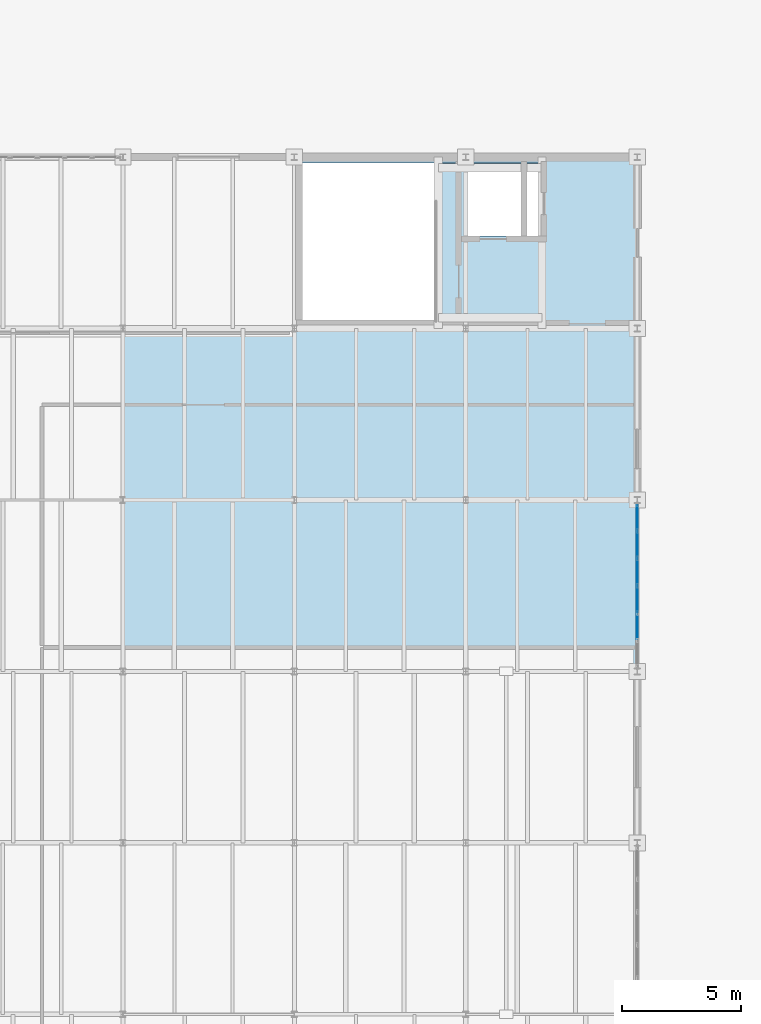
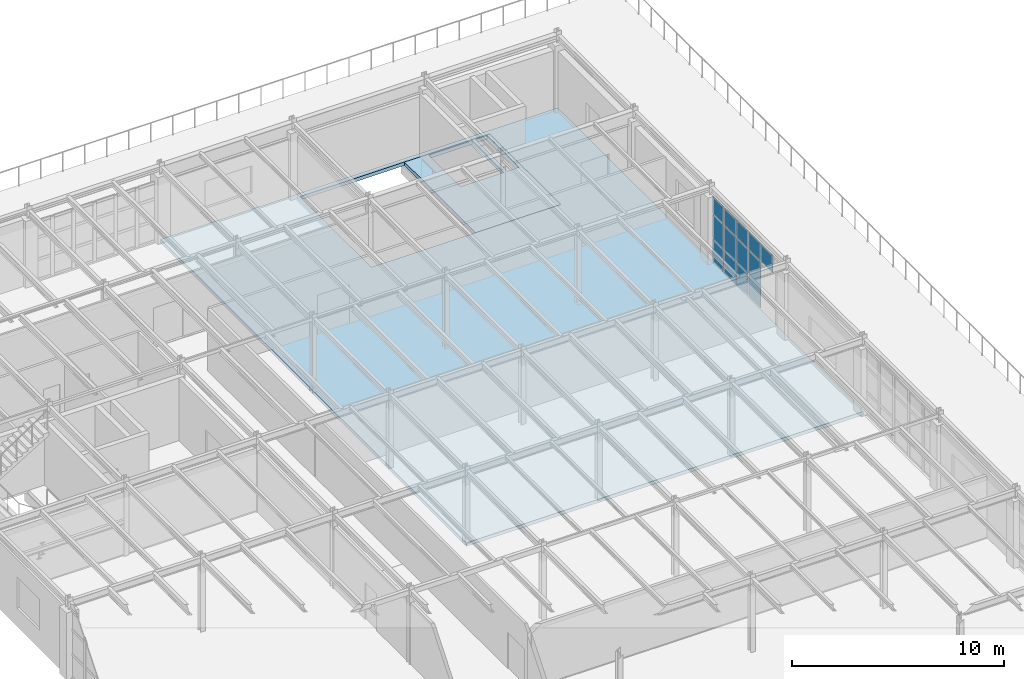
# One storey, part 30 of 36: 13 plates, 2 slabs, 1 element without a shape of its own.
"""IFC4 building model written with IfcOpenShell, lengths in metres."""

from ifc_helpers import new_model, si_unit, direction, frame, origin, origin_2d, place, context, subcontext, project, spatial, polyline, rectangle, outline, extrude, material, layer, layer_set, type_object, element, aggregate, save


model = new_model("IFC4")

# Units and contexts
model_context = context("Model", 3, precision=1e-05, world=origin(), true_north=direction((0.0, 1.0)))
body_context = subcontext(model_context, "Body", "Model", "MODEL_VIEW")
ifc_project = project(units=[si_unit("LENGTHUNIT", "METRE"), si_unit("AREAUNIT", "SQUARE_METRE"), si_unit("VOLUMEUNIT", "CUBIC_METRE"), si_unit("PLANEANGLEUNIT", "RADIAN"), si_unit("MASSUNIT", "GRAM", prefix="KILO")], contexts=[model_context])

# Site, building, storey
site_placement = place(None, origin())
site = spatial("IfcSite", under=ifc_project, at=site_placement, CompositionType="ELEMENT")
building_placement = place(site_placement, origin())
building = spatial("IfcBuilding", under=site, at=building_placement, Name="Kemerveld Promenade Tramway Depot", CompositionType="ELEMENT")
storey_placement = place(building_placement, frame((0.0, 0.0, 14.39990234375)))
storey = spatial("IfcBuildingStorey", under=building, at=storey_placement, Name="L03", CompositionType="ELEMENT", Elevation=14.39990234375)

# Curtain wall, plates
ifc_material_1 = material(Name="Bronze anodised aluminium and solar glass", Category="aluminium")
ifc_layer_1 = layer(ifc_material_1, 0.199951171875)
ifc_layer_set_1 = layer_set([ifc_layer_1], Name="CW-SYS-06")
curtain_wall_type = type_object("IfcCurtainWallType", Name="CW-SYS-06", PredefinedType="USERDEFINED", material=ifc_layer_set_1)
curtain_wall_placement = place(storey_placement, origin())
curtain_wall = element("IfcCurtainWall", 1, at=curtain_wall_placement, inside=storey, type_object=curtain_wall_type, Name="CW-L03-V5E-03", ObjectType="GLAZED_CURTAIN_WALL", PredefinedType="USERDEFINED")
ifc_material_2 = material(Name="Solar-control laminated double glazing", Category="glass")
ifc_layer_2 = layer(ifc_material_2, 0.02587890625)
ifc_layer_set_2 = layer_set([ifc_layer_2], Name="CW-PNL-06")
plate_type = type_object("IfcPlateType", Name="CW-PNL-06", PredefinedType="CURTAIN_PANEL", material=ifc_layer_set_2)
plate_1_placement = place(storey_placement, frame((43.199951171875, 49.65625, 0.065185546875), z_axis=(0.0, 0.0, 1.0), x_axis=(0.0, -1.0, 0.0)))
plate_1 = element("IfcPlate", 2, at=plate_1_placement, type_object=plate_type, Name="CW06 panel 1.1", PredefinedType="CURTAIN_PANEL", context=body_context, shape_type="SweptSolid", body=[
    extrude(rectangle(XDim=1.037353515625, YDim=0.02587890625, at=origin_2d()), origin(), (0.0, 0.0, 1.0), 1.25048828125),
])
plate_2_placement = place(storey_placement, frame((43.199951171875, 49.65625, 1.380615234375), z_axis=(0.0, 0.0, 1.0), x_axis=(0.0, -1.0, 0.0)))
plate_2 = element("IfcPlate", 3, at=plate_2_placement, type_object=plate_type, Name="CW06 panel 1.2", PredefinedType="CURTAIN_PANEL", context=body_context, shape_type="SweptSolid", body=[
    extrude(rectangle(XDim=1.037353515625, YDim=0.02587890625, at=origin_2d()), origin(), (0.0, 0.0, 1.0), 1.35888671875),
])
plate_3_placement = place(storey_placement, frame((43.199951171875, 49.65625, 2.8046875), z_axis=(0.0, 0.0, 1.0), x_axis=(0.0, -1.0, 0.0)))
plate_3 = element("IfcPlate", 4, at=plate_3_placement, type_object=plate_type, Name="CW06 panel 1.3", PredefinedType="CURTAIN_PANEL", context=body_context, shape_type="SweptSolid", body=[
    extrude(rectangle(XDim=1.037353515625, YDim=0.02587890625, at=origin_2d()), origin(), (0.0, 0.0, 1.0), 0.98046875),
])
plate_4_placement = place(storey_placement, frame((43.199951171875, 48.52490234375, 0.065185546875), z_axis=(0.0, 0.0, 1.0), x_axis=(0.0, -1.0, 0.0)))
plate_4 = element("IfcPlate", 5, at=plate_4_placement, type_object=plate_type, Name="CW06 panel 2.1", PredefinedType="CURTAIN_PANEL", context=body_context, shape_type="SweptSolid", body=[
    extrude(rectangle(XDim=1.074951171875, YDim=0.02587890625, at=origin_2d()), origin(), (0.0, 0.0, 1.0), 1.25048828125),
])
plate_5_placement = place(storey_placement, frame((43.199951171875, 48.52490234375, 1.380615234375), z_axis=(0.0, 0.0, 1.0), x_axis=(0.0, -1.0, 0.0)))
plate_5 = element("IfcPlate", 6, at=plate_5_placement, type_object=plate_type, Name="CW06 panel 2.2", PredefinedType="CURTAIN_PANEL", context=body_context, shape_type="SweptSolid", body=[
    extrude(rectangle(XDim=1.074951171875, YDim=0.02587890625, at=origin_2d()), origin(), (0.0, 0.0, 1.0), 1.35888671875),
])
plate_6_placement = place(storey_placement, frame((43.199951171875, 48.52490234375, 2.8046875), z_axis=(0.0, 0.0, 1.0), x_axis=(0.0, -1.0, 0.0)))
plate_6 = element("IfcPlate", 7, at=plate_6_placement, type_object=plate_type, Name="CW06 panel 2.3", PredefinedType="CURTAIN_PANEL", context=body_context, shape_type="SweptSolid", body=[
    extrude(rectangle(XDim=1.074951171875, YDim=0.02587890625, at=origin_2d()), origin(), (0.0, 0.0, 1.0), 0.98046875),
])
plate_7_placement = place(storey_placement, frame((43.199951171875, 47.375, 0.065185546875), z_axis=(0.0, 0.0, 1.0), x_axis=(0.0, -1.0, 0.0)))
plate_7 = element("IfcPlate", 8, at=plate_7_placement, type_object=plate_type, Name="CW06 panel 3.1", PredefinedType="CURTAIN_PANEL", context=body_context, shape_type="SweptSolid", body=[
    extrude(rectangle(XDim=1.074951171875, YDim=0.02587890625, at=origin_2d()), origin(), (0.0, 0.0, 1.0), 1.25048828125),
])
plate_8_placement = place(storey_placement, frame((43.199951171875, 47.375, 1.380615234375), z_axis=(0.0, 0.0, 1.0), x_axis=(0.0, -1.0, 0.0)))
plate_8 = element("IfcPlate", 9, at=plate_8_placement, type_object=plate_type, Name="CW06 panel 3.2", PredefinedType="CURTAIN_PANEL", context=body_context, shape_type="SweptSolid", body=[
    extrude(rectangle(XDim=1.074951171875, YDim=0.02587890625, at=origin_2d()), origin(), (0.0, 0.0, 1.0), 1.35888671875),
])
plate_9_placement = place(storey_placement, frame((43.199951171875, 47.375, 2.8046875), z_axis=(0.0, 0.0, 1.0), x_axis=(0.0, -1.0, 0.0)))
plate_9 = element("IfcPlate", 10, at=plate_9_placement, type_object=plate_type, Name="CW06 panel 3.3", PredefinedType="CURTAIN_PANEL", context=body_context, shape_type="SweptSolid", body=[
    extrude(rectangle(XDim=1.074951171875, YDim=0.02587890625, at=origin_2d()), origin(), (0.0, 0.0, 1.0), 0.98046875),
])
plate_10_placement = place(storey_placement, frame((43.199951171875, 46.22509765625, 0.065185546875), z_axis=(0.0, 0.0, 1.0), x_axis=(0.0, -1.0, 0.0)))
plate_10 = element("IfcPlate", 11, at=plate_10_placement, type_object=plate_type, Name="CW06 panel 4.1", PredefinedType="CURTAIN_PANEL", context=body_context, shape_type="SweptSolid", body=[
    extrude(rectangle(XDim=1.074951171875, YDim=0.02587890625, at=origin_2d()), origin(), (0.0, 0.0, 1.0), 1.25048828125),
])
plate_11_placement = place(storey_placement, frame((43.199951171875, 46.22509765625, 1.380615234375), z_axis=(0.0, 0.0, 1.0), x_axis=(0.0, -1.0, 0.0)))
plate_11 = element("IfcPlate", 12, at=plate_11_placement, type_object=plate_type, Name="CW06 panel 4.2", PredefinedType="CURTAIN_PANEL", context=body_context, shape_type="SweptSolid", body=[
    extrude(rectangle(XDim=1.074951171875, YDim=0.02587890625, at=origin_2d()), origin(), (0.0, 0.0, 1.0), 1.35888671875),
])
plate_12_placement = place(storey_placement, frame((43.199951171875, 46.22509765625, 2.8046875), z_axis=(0.0, 0.0, 1.0), x_axis=(0.0, -1.0, 0.0)))
plate_12 = element("IfcPlate", 13, at=plate_12_placement, type_object=plate_type, Name="CW06 panel 4.3", PredefinedType="CURTAIN_PANEL", context=body_context, shape_type="SweptSolid", body=[
    extrude(rectangle(XDim=1.074951171875, YDim=0.02587890625, at=origin_2d()), origin(), (0.0, 0.0, 1.0), 0.98046875),
])
plate_13_placement = place(storey_placement, frame((43.199951171875, 45.074951171875, 2.8046875), z_axis=(0.0, 0.0, 1.0), x_axis=(0.0, -1.0, 0.0)))
plate_13 = element("IfcPlate", 14, at=plate_13_placement, type_object=plate_type, Name="CW06 panel 5.3", PredefinedType="CURTAIN_PANEL", context=body_context, shape_type="SweptSolid", body=[
    extrude(rectangle(XDim=1.074951171875, YDim=0.02587890625, at=origin_2d()), origin(), (0.0, 0.0, 1.0), 0.98046875),
])
aggregate(curtain_wall, [plate_1, plate_2, plate_3, plate_4, plate_5, plate_6, plate_7, plate_8, plate_9, plate_10, plate_11, plate_12, plate_13])

# Slabs
ifc_material_3 = material(Name="Concrete C40/50", Category="concrete")
ifc_layer_3 = layer(ifc_material_3, 0.219970703125)
ifc_layer_set_3 = layer_set([ifc_layer_3], Name="SL-CORE-220")
slab_type_1 = type_object("IfcSlabType", Name="SL-CORE-220", PredefinedType="FLOOR", material=ifc_layer_set_3)
slab_1_placement = place(storey_placement, frame((0.0, 0.0, -0.219970703125)))
element("IfcSlab", 15, at=slab_1_placement, inside=storey, type_object=slab_type_1, Name="SLB-CORE-C3-L03", PredefinedType="FLOOR", context=body_context, shape_type="SweptSolid", body=[
    extrude(outline(polyline([(34.719970703125, 57.85009765625), (39.35009765625, 57.85009765625), (39.35009765625, 64.550048828125), (34.719970703125, 64.550048828125), (34.719970703125, 57.85009765625)]), holes=[polyline([(36.0, 61.47998046875), (38.35009765625, 61.47998046875), (38.35009765625, 64.47998046875), (36.0, 64.47998046875), (36.0, 61.47998046875)]), polyline([(38.550048828125, 61.47998046875), (39.179931640625, 61.47998046875), (39.179931640625, 64.47998046875), (38.550048828125, 64.47998046875), (38.550048828125, 61.47998046875)])]), origin(), (0.0, 0.0, 1.0), 0.219970703125),
])
ifc_material_4 = material(Name="Concrete C35/45", Category="concrete")
ifc_layer_4 = layer(ifc_material_4, 0.199951171875)
ifc_layer_set_4 = layer_set([ifc_layer_4], Name="SL-FL04")
slab_type_2 = type_object("IfcSlabType", Name="SL-FL04", PredefinedType="FLOOR", material=ifc_layer_set_4)
slab_2_placement = place(storey_placement, frame((0.0, 0.0, -0.199951171875)))
element("IfcSlab", 16, at=slab_2_placement, inside=storey, type_object=slab_type_2, Name="SLB-L03-V5D", PredefinedType="FLOOR", context=body_context, shape_type="SweptSolid", body=[
    extrude(outline(polyline([(21.60009765625, 36.0), (43.199951171875, 36.0), (43.199951171875, 64.800048828125), (21.60009765625, 64.800048828125), (21.60009765625, 36.0)]), holes=[polyline([(29.050048828125, 57.85009765625), (39.35009765625, 57.85009765625), (39.35009765625, 64.550048828125), (29.050048828125, 64.550048828125), (29.050048828125, 57.85009765625)])]), origin(), (0.0, 0.0, 1.0), 0.199951171875),
])

save(model, "model.ifc")
